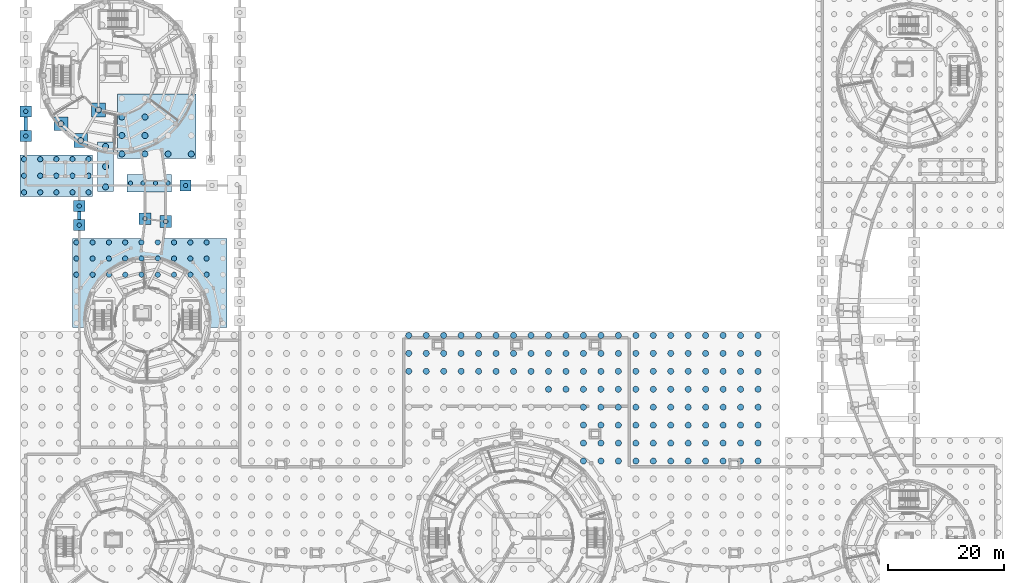
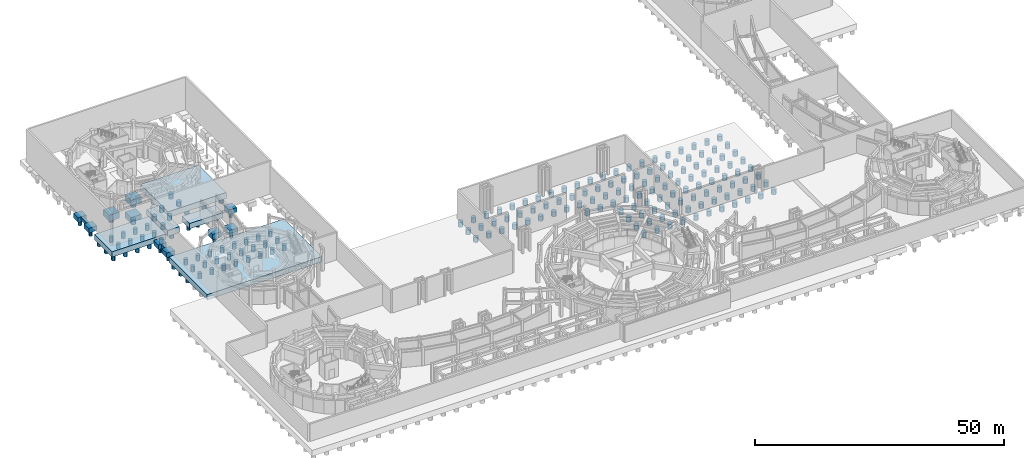
# One storey, part 4 of 57: 187 piles, 17 footings.
"""IFC4 building model written with IfcOpenShell, lengths in metres."""

from ifc_helpers import new_model, si_unit, direction, frame, origin, origin_2d, place, context, subcontext, project, spatial, rectangle, circle, extrude, material, material_profile, profile_set, type_object, element, save


model = new_model("IFC4")

# Units and contexts
model_context = context("Model", 3, precision=1e-05, world=origin(), true_north=direction((0.0, 1.0)))
body_context = subcontext(model_context, "Body", "Model", "MODEL_VIEW")
ifc_project = project(units=[si_unit("LENGTHUNIT", "METRE"), si_unit("AREAUNIT", "SQUARE_METRE"), si_unit("VOLUMEUNIT", "CUBIC_METRE"), si_unit("PLANEANGLEUNIT", "RADIAN"), si_unit("MASSUNIT", "GRAM", prefix="KILO")], contexts=[model_context])

# Site, building, storey
site_placement = place(None, origin())
site = spatial("IfcSite", under=ifc_project, at=site_placement, CompositionType="ELEMENT")
building_placement = place(site_placement, origin())
building = spatial("IfcBuilding", under=site, at=building_placement, Name="Aldenvaro Health Centre", CompositionType="ELEMENT")
storey_placement = place(building_placement, frame((0.0, 0.0, -4.550048828125)))
storey = spatial("IfcBuildingStorey", under=building, at=storey_placement, Name="B1", CompositionType="ELEMENT", Elevation=-4.550048828125)

# Footings
ifc_material = material(Name="Concrete f'c 40 MPa", Category="concrete")
ifc_material_profile_1 = material_profile(ifc_material, rectangle(XDim=0.60009765625, YDim=0.800048828125, at=origin_2d()), Name="GB 600x800", Category="concrete")
ifc_profile_set_1 = profile_set([ifc_material_profile_1], Name="Concrete f'c 40 MPa")
footing_type_1 = type_object("IfcFootingType", Name="FTG-GB-600x800", PredefinedType="FOOTING_BEAM", material=ifc_profile_set_1)
footing_1_placement = place(storey_placement, frame((2.60009765625, 90.050048828125, -0.449951171875), z_axis=(0.0, 1.0, 0.0), x_axis=(-1.0, 0.0, 0.0)))
element("IfcFooting", 1, at=footing_1_placement, inside=storey, type_object=footing_type_1, Name="Foundation Tie Beam GB-01", PredefinedType="FOOTING_BEAM", context=body_context, shape_type="SweptSolid", body=[
    extrude(rectangle(XDim=0.60009765625, YDim=0.800048828125, at=origin_2d()), origin(), (0.0, 0.0, 1.0), 2.349853515625),
])
footing_2_placement = place(storey_placement, frame((11.800048828125, 74.73193359375, -0.449951171875), z_axis=(0.0, 1.0, 0.0), x_axis=(-1.0, 0.0, 0.0)))
element("IfcFooting", 2, at=footing_2_placement, inside=storey, type_object=footing_type_1, Name="Foundation Tie Beam GB-07", PredefinedType="FOOTING_BEAM", context=body_context, shape_type="SweptSolid", body=[
    extrude(rectangle(XDim=0.60009765625, YDim=0.800048828125, at=origin_2d()), origin(), (0.0, 0.0, 1.0), 1.39697265625),
])
footing_type_2 = type_object("IfcFootingType", Name="FTG-PC-1250x710x130", PredefinedType="PILE_CAP", material=ifc_material)
footing_3_placement = place(storey_placement, frame((7.862060546875, 82.27392578125, -1.2998046875), z_axis=(0.0, 0.0, 1.0), x_axis=(1.0, 0.0, 0.0)))
element("IfcFooting", 3, at=footing_3_placement, inside=storey, type_object=footing_type_2, Name="Pile Cap PC-18 #039", PredefinedType="PILE_CAP", context=body_context, shape_type="SweptSolid", body=[
    extrude(rectangle(XDim=12.5, YDim=7.10009765625, at=origin_2d()), origin(), (0.0, 0.0, 1.0), 1.300048828125),
])
footing_type_3 = type_object("IfcFootingType", Name="FTG-PC-1350x1110x145", PredefinedType="PILE_CAP", material=ifc_material)
footing_4_placement = place(storey_placement, frame((25.093017578125, 90.781005859375, -1.44970703125), z_axis=(0.0, 0.0, 1.0), x_axis=(1.0, 0.0, 0.0)))
element("IfcFooting", 4, at=footing_4_placement, inside=storey, type_object=footing_type_3, Name="Pile Cap PC-11 #020", PredefinedType="PILE_CAP", context=body_context, shape_type="SweptSolid", body=[
    extrude(rectangle(XDim=13.5, YDim=11.10009765625, at=origin_2d()), origin(), (0.0, 0.0, 1.0), 1.449951171875),
])
footing_type_4 = type_object("IfcFootingType", Name="FTG-PC-190x190x115", PredefinedType="PILE_CAP", material=ifc_material)
for number, where, z_axis, x_axis, name in (
    (5, (2.60009765625, 89.10009765625, -1.14990234375), (0.0, 0.0, 1.0), (1.0, 0.0, 0.0), "Pile Cap PC-20 #047"),
    (6, (2.60009765625, 93.35009765625, -1.14990234375), (0.0, 0.0, 1.0), (1.0, 0.0, 0.0), "Pile Cap PC-20 #048"),
    (7, (30.087890625, 80.60009765625, -1.14990234375), (0.0, 0.0, 1.0), (1.0, 0.0, 0.0), "Pile Cap PC-20 #063"),
    (8, (11.800048828125, 73.781982421875, -1.14990234375), (0.0, 0.0, 1.0), (1.0, 0.0, 0.0), "Pile Cap PC-20 #065"),
    (9, (11.800048828125, 77.0791015625, -1.14990234375), (0.0, 0.0, 1.0), (1.0, 0.0, 0.0), "Pile Cap PC-20 #066"),
):
    element("IfcFooting", number, at=place(storey_placement, frame(where, z_axis=z_axis, x_axis=x_axis)), inside=storey, type_object=footing_type_4, Name=name, PredefinedType="PILE_CAP", context=body_context, shape_type="SweptSolid", body=[
        extrude(rectangle(XDim=1.89990234375, YDim=1.89990234375, at=origin_2d()), origin(), (0.0, 0.0, 1.0), 1.14990234375),
    ])
footing_type_5 = type_object("IfcFootingType", Name="FTG-PC-200x200x130", PredefinedType="PILE_CAP", material=ifc_material)
for number, where, z_axis, x_axis, name in (
    (10, (23.10791015625, 74.873046875, -1.2998046875), (0.0, 0.0, 1.0), (1.0, 0.0, 0.0), "Pile Cap PC-12 #024"),
    (11, (26.677978515625, 74.4130859375, -1.2998046875), (0.0, 0.0, 1.0), (1.0, 0.0, 0.0), "Pile Cap PC-12 #025"),
):
    element("IfcFooting", number, at=place(storey_placement, frame(where, z_axis=z_axis, x_axis=x_axis)), inside=storey, type_object=footing_type_5, Name=name, PredefinedType="PILE_CAP", context=body_context, shape_type="SweptSolid", body=[
        extrude(rectangle(XDim=2.0, YDim=2.0, at=origin_2d()), origin(), (0.0, 0.0, 1.0), 1.300048828125),
    ])
footing_type_6 = type_object("IfcFootingType", Name="FTG-PC-240x240x145", PredefinedType="PILE_CAP", material=ifc_material)
for number, where, z_axis, x_axis, name in (
    (12, (8.633056640625, 91.220947265625, -1.44970703125), (0.0, 0.0, 1.0), (1.0, 0.0, 0.0), "Pile Cap PC-09 #017"),
    (13, (12.06005859375, 88.345947265625, -1.44970703125), (0.0, 0.0, 1.0), (1.0, 0.0, 0.0), "Pile Cap PC-09 #018"),
    (14, (15.10009765625, 93.611083984375, -1.44970703125), (0.0, 0.0, 1.0), (1.0, 0.0, 0.0), "Pile Cap PC-09 #023"),
):
    element("IfcFooting", number, at=place(storey_placement, frame(where, z_axis=z_axis, x_axis=x_axis)), inside=storey, type_object=footing_type_6, Name=name, PredefinedType="PILE_CAP", context=body_context, shape_type="SweptSolid", body=[
        extrude(rectangle(XDim=2.39990234375, YDim=2.39990234375, at=origin_2d()), origin(), (0.0, 0.0, 1.0), 1.449951171875),
    ])
footing_type_7 = type_object("IfcFootingType", Name="FTG-PC-2660x1530x130", PredefinedType="PILE_CAP", material=ifc_material)
footing_5_placement = place(storey_placement, frame((23.904052734375, 63.867919921875, -1.2998046875), z_axis=(0.0, 0.0, 1.0), x_axis=(1.0, 0.0, 0.0)))
element("IfcFooting", 15, at=footing_5_placement, inside=storey, type_object=footing_type_7, Name="Pile Cap PC-03 #003", PredefinedType="PILE_CAP", context=body_context, shape_type="SweptSolid", body=[
    extrude(rectangle(XDim=26.60009765625, YDim=15.300048828125, at=origin_2d()), origin(), (0.0, 0.0, 1.0), 1.300048828125),
])
footing_type_8 = type_object("IfcFootingType", Name="FTG-PC-270x850x145", PredefinedType="PILE_CAP", material=ifc_material)
footing_6_placement = place(storey_placement, frame((16.33203125, 83.841064453125, -1.44970703125), z_axis=(0.0, 0.0, 1.0), x_axis=(1.0, 0.0, 0.0)))
element("IfcFooting", 16, at=footing_6_placement, inside=storey, type_object=footing_type_8, Name="Pile Cap PC-10 #019", PredefinedType="PILE_CAP", context=body_context, shape_type="SweptSolid", body=[
    extrude(rectangle(XDim=2.699951171875, YDim=8.5, at=origin_2d()), origin(), (0.0, 0.0, 1.0), 1.449951171875),
])
footing_type_9 = type_object("IfcFootingType", Name="FTG-PC-770x300x130", PredefinedType="PILE_CAP", material=ifc_material)
footing_7_placement = place(storey_placement, frame((23.85107421875, 81.00390625, -1.2998046875), z_axis=(0.0, 0.0, 1.0), x_axis=(1.0, 0.0, 0.0)))
element("IfcFooting", 17, at=footing_7_placement, inside=storey, type_object=footing_type_9, Name="Pile Cap PC-13 #026", PredefinedType="PILE_CAP", context=body_context, shape_type="SweptSolid", body=[
    extrude(rectangle(XDim=7.699951171875, YDim=3.0, at=origin_2d()), origin(), (0.0, 0.0, 1.0), 1.300048828125),
])

# Piles
ifc_material_profile_2 = material_profile(ifc_material, circle(Radius=0.52490234375, at=origin_2d()), Name="PILE D1050", Category="concrete")
ifc_profile_set_2 = profile_set([ifc_material_profile_2], Name="Concrete f'c 40 MPa")
pile_type_1 = type_object("IfcPileType", Name="PILE-D1050", PredefinedType="BORED", material=ifc_profile_set_2)
for number, where, z_axis, x_axis, name in (
    (18, (68.469970703125, 48.64111328125, -1.349853515625), (0.0, 0.0, -1.0), (1.0, 0.0, 0.0), "Bored Pile BP-03 #0435"),
    (19, (68.469970703125, 51.72705078125, -1.349853515625), (0.0, 0.0, -1.0), (1.0, 0.0, 0.0), "Bored Pile BP-03 #0436"),
    (20, (68.469970703125, 54.81298828125, -1.349853515625), (0.0, 0.0, -1.0), (1.0, 0.0, 0.0), "Bored Pile BP-03 #0437"),
    (21, (71.472900390625, 48.64111328125, -1.349853515625), (0.0, 0.0, -1.0), (1.0, 0.0, 0.0), "Bored Pile BP-03 #0454"),
    (22, (71.472900390625, 51.72705078125, -1.349853515625), (0.0, 0.0, -1.0), (1.0, 0.0, 0.0), "Bored Pile BP-03 #0455"),
    (23, (71.472900390625, 54.81298828125, -1.349853515625), (0.0, 0.0, -1.0), (1.0, 0.0, 0.0), "Bored Pile BP-03 #0456"),
    (24, (74.47705078125, 48.64111328125, -1.349853515625), (0.0, 0.0, -1.0), (1.0, 0.0, 0.0), "Bored Pile BP-03 #0473"),
    (25, (74.47705078125, 51.72705078125, -1.349853515625), (0.0, 0.0, -1.0), (1.0, 0.0, 0.0), "Bored Pile BP-03 #0474"),
    (26, (74.47705078125, 54.81298828125, -1.349853515625), (0.0, 0.0, -1.0), (1.0, 0.0, 0.0), "Bored Pile BP-03 #0475"),
    (27, (77.47998046875, 48.64111328125, -1.349853515625), (0.0, 0.0, -1.0), (1.0, 0.0, 0.0), "Bored Pile BP-03 #0492"),
    (28, (77.47998046875, 51.72705078125, -1.349853515625), (0.0, 0.0, -1.0), (1.0, 0.0, 0.0), "Bored Pile BP-03 #0493"),
    (29, (77.47998046875, 54.81298828125, -1.349853515625), (0.0, 0.0, -1.0), (1.0, 0.0, 0.0), "Bored Pile BP-03 #0494"),
    (30, (80.48388671875, 48.64111328125, -1.349853515625), (0.0, 0.0, -1.0), (1.0, 0.0, 0.0), "Bored Pile BP-03 #0511"),
    (31, (80.48388671875, 51.72705078125, -1.349853515625), (0.0, 0.0, -1.0), (1.0, 0.0, 0.0), "Bored Pile BP-03 #0512"),
    (32, (80.48388671875, 54.81298828125, -1.349853515625), (0.0, 0.0, -1.0), (1.0, 0.0, 0.0), "Bored Pile BP-03 #0513"),
    (33, (83.487060546875, 48.64111328125, -1.349853515625), (0.0, 0.0, -1.0), (1.0, 0.0, 0.0), "Bored Pile BP-03 #0530"),
    (34, (83.487060546875, 51.72705078125, -1.349853515625), (0.0, 0.0, -1.0), (1.0, 0.0, 0.0), "Bored Pile BP-03 #0531"),
    (35, (83.487060546875, 54.81298828125, -1.349853515625), (0.0, 0.0, -1.0), (1.0, 0.0, 0.0), "Bored Pile BP-03 #0532"),
    (36, (86.490966796875, 48.64111328125, -1.349853515625), (0.0, 0.0, -1.0), (1.0, 0.0, 0.0), "Bored Pile BP-03 #0549"),
    (37, (86.490966796875, 51.72705078125, -1.349853515625), (0.0, 0.0, -1.0), (1.0, 0.0, 0.0), "Bored Pile BP-03 #0550"),
    (38, (86.490966796875, 54.81298828125, -1.349853515625), (0.0, 0.0, -1.0), (1.0, 0.0, 0.0), "Bored Pile BP-03 #0551"),
    (39, (89.493896484375, 48.64111328125, -1.349853515625), (0.0, 0.0, -1.0), (1.0, 0.0, 0.0), "Bored Pile BP-03 #0568"),
    (40, (89.493896484375, 51.72705078125, -1.349853515625), (0.0, 0.0, -1.0), (1.0, 0.0, 0.0), "Bored Pile BP-03 #0569"),
    (41, (89.493896484375, 54.81298828125, -1.349853515625), (0.0, 0.0, -1.0), (1.0, 0.0, 0.0), "Bored Pile BP-03 #0570"),
    (42, (92.498046875, 45.554931640625, -1.349853515625), (0.0, 0.0, -1.0), (1.0, 0.0, 0.0), "Bored Pile BP-03 #0586"),
    (43, (92.498046875, 48.64111328125, -1.349853515625), (0.0, 0.0, -1.0), (1.0, 0.0, 0.0), "Bored Pile BP-03 #0587"),
    (44, (92.498046875, 51.72705078125, -1.349853515625), (0.0, 0.0, -1.0), (1.0, 0.0, 0.0), "Bored Pile BP-03 #0588"),
    (45, (92.498046875, 54.81298828125, -1.349853515625), (0.0, 0.0, -1.0), (1.0, 0.0, 0.0), "Bored Pile BP-03 #0589"),
    (46, (95.5009765625, 45.554931640625, -1.349853515625), (0.0, 0.0, -1.0), (1.0, 0.0, 0.0), "Bored Pile BP-03 #0605"),
    (47, (95.5009765625, 48.64111328125, -1.349853515625), (0.0, 0.0, -1.0), (1.0, 0.0, 0.0), "Bored Pile BP-03 #0606"),
    (48, (95.5009765625, 51.72705078125, -1.349853515625), (0.0, 0.0, -1.0), (1.0, 0.0, 0.0), "Bored Pile BP-03 #0607"),
    (49, (95.5009765625, 54.81298828125, -1.349853515625), (0.0, 0.0, -1.0), (1.0, 0.0, 0.0), "Bored Pile BP-03 #0608"),
    (50, (98.5048828125, 33.2099609375, -1.349853515625), (0.0, 0.0, -1.0), (1.0, 0.0, 0.0), "Bored Pile BP-03 #0620"),
    (51, (98.5048828125, 36.2958984375, -1.349853515625), (0.0, 0.0, -1.0), (1.0, 0.0, 0.0), "Bored Pile BP-03 #0621"),
    (52, (98.5048828125, 39.382080078125, -1.349853515625), (0.0, 0.0, -1.0), (1.0, 0.0, 0.0), "Bored Pile BP-03 #0622"),
    (53, (98.5048828125, 42.468994140625, -1.349853515625), (0.0, 0.0, -1.0), (1.0, 0.0, 0.0), "Bored Pile BP-03 #0623"),
    (54, (98.5048828125, 45.554931640625, -1.349853515625), (0.0, 0.0, -1.0), (1.0, 0.0, 0.0), "Bored Pile BP-03 #0624"),
    (55, (98.5048828125, 48.64111328125, -1.349853515625), (0.0, 0.0, -1.0), (1.0, 0.0, 0.0), "Bored Pile BP-03 #0625"),
    (56, (98.5048828125, 51.72705078125, -1.349853515625), (0.0, 0.0, -1.0), (1.0, 0.0, 0.0), "Bored Pile BP-03 #0626"),
    (57, (98.5048828125, 54.81298828125, -1.349853515625), (0.0, 0.0, -1.0), (1.0, 0.0, 0.0), "Bored Pile BP-03 #0627"),
    (58, (101.508056640625, 33.2099609375, -1.349853515625), (0.0, 0.0, -1.0), (1.0, 0.0, 0.0), "Bored Pile BP-03 #0639"),
    (59, (101.508056640625, 36.2958984375, -1.349853515625), (0.0, 0.0, -1.0), (1.0, 0.0, 0.0), "Bored Pile BP-03 #0640"),
    (60, (101.508056640625, 39.382080078125, -1.349853515625), (0.0, 0.0, -1.0), (1.0, 0.0, 0.0), "Bored Pile BP-03 #0641"),
    (61, (101.508056640625, 42.468994140625, -1.349853515625), (0.0, 0.0, -1.0), (1.0, 0.0, 0.0), "Bored Pile BP-03 #0642"),
    (62, (101.508056640625, 45.554931640625, -1.349853515625), (0.0, 0.0, -1.0), (1.0, 0.0, 0.0), "Bored Pile BP-03 #0643"),
    (63, (101.508056640625, 48.64111328125, -1.349853515625), (0.0, 0.0, -1.0), (1.0, 0.0, 0.0), "Bored Pile BP-03 #0644"),
    (64, (101.508056640625, 51.72705078125, -1.349853515625), (0.0, 0.0, -1.0), (1.0, 0.0, 0.0), "Bored Pile BP-03 #0645"),
    (65, (101.508056640625, 54.81298828125, -1.349853515625), (0.0, 0.0, -1.0), (1.0, 0.0, 0.0), "Bored Pile BP-03 #0646"),
    (66, (104.511962890625, 33.2099609375, -1.349853515625), (0.0, 0.0, -1.0), (1.0, 0.0, 0.0), "Bored Pile BP-03 #0658"),
    (67, (104.511962890625, 36.2958984375, -1.349853515625), (0.0, 0.0, -1.0), (1.0, 0.0, 0.0), "Bored Pile BP-03 #0659"),
    (68, (104.511962890625, 39.382080078125, -1.349853515625), (0.0, 0.0, -1.0), (1.0, 0.0, 0.0), "Bored Pile BP-03 #0660"),
    (69, (104.511962890625, 42.468994140625, -1.349853515625), (0.0, 0.0, -1.0), (1.0, 0.0, 0.0), "Bored Pile BP-03 #0661"),
    (70, (104.511962890625, 45.554931640625, -1.349853515625), (0.0, 0.0, -1.0), (1.0, 0.0, 0.0), "Bored Pile BP-03 #0662"),
    (71, (104.511962890625, 48.64111328125, -1.349853515625), (0.0, 0.0, -1.0), (1.0, 0.0, 0.0), "Bored Pile BP-03 #0663"),
    (72, (104.511962890625, 51.72705078125, -1.349853515625), (0.0, 0.0, -1.0), (1.0, 0.0, 0.0), "Bored Pile BP-03 #0664"),
    (73, (104.511962890625, 54.81298828125, -1.349853515625), (0.0, 0.0, -1.0), (1.0, 0.0, 0.0), "Bored Pile BP-03 #0665"),
    (74, (107.514892578125, 33.2099609375, -1.349853515625), (0.0, 0.0, -1.0), (1.0, 0.0, 0.0), "Bored Pile BP-03 #0677"),
    (75, (107.514892578125, 36.2958984375, -1.349853515625), (0.0, 0.0, -1.0), (1.0, 0.0, 0.0), "Bored Pile BP-03 #0678"),
    (76, (107.514892578125, 39.382080078125, -1.349853515625), (0.0, 0.0, -1.0), (1.0, 0.0, 0.0), "Bored Pile BP-03 #0679"),
    (77, (107.514892578125, 42.468994140625, -1.349853515625), (0.0, 0.0, -1.0), (1.0, 0.0, 0.0), "Bored Pile BP-03 #0680"),
    (78, (107.514892578125, 45.554931640625, -1.349853515625), (0.0, 0.0, -1.0), (1.0, 0.0, 0.0), "Bored Pile BP-03 #0681"),
    (79, (107.514892578125, 48.64111328125, -1.349853515625), (0.0, 0.0, -1.0), (1.0, 0.0, 0.0), "Bored Pile BP-03 #0682"),
    (80, (107.514892578125, 51.72705078125, -1.349853515625), (0.0, 0.0, -1.0), (1.0, 0.0, 0.0), "Bored Pile BP-03 #0683"),
    (81, (107.514892578125, 54.81298828125, -1.349853515625), (0.0, 0.0, -1.0), (1.0, 0.0, 0.0), "Bored Pile BP-03 #0684"),
    (82, (110.51904296875, 33.2099609375, -1.349853515625), (0.0, 0.0, -1.0), (1.0, 0.0, 0.0), "Bored Pile BP-03 #0696"),
    (83, (110.51904296875, 36.2958984375, -1.349853515625), (0.0, 0.0, -1.0), (1.0, 0.0, 0.0), "Bored Pile BP-03 #0697"),
    (84, (110.51904296875, 39.382080078125, -1.349853515625), (0.0, 0.0, -1.0), (1.0, 0.0, 0.0), "Bored Pile BP-03 #0698"),
    (85, (110.51904296875, 42.468994140625, -1.349853515625), (0.0, 0.0, -1.0), (1.0, 0.0, 0.0), "Bored Pile BP-03 #0699"),
    (86, (110.51904296875, 45.554931640625, -1.349853515625), (0.0, 0.0, -1.0), (1.0, 0.0, 0.0), "Bored Pile BP-03 #0700"),
    (87, (110.51904296875, 48.64111328125, -1.349853515625), (0.0, 0.0, -1.0), (1.0, 0.0, 0.0), "Bored Pile BP-03 #0701"),
    (88, (110.51904296875, 51.72705078125, -1.349853515625), (0.0, 0.0, -1.0), (1.0, 0.0, 0.0), "Bored Pile BP-03 #0702"),
    (89, (110.51904296875, 54.81298828125, -1.349853515625), (0.0, 0.0, -1.0), (1.0, 0.0, 0.0), "Bored Pile BP-03 #0703"),
    (90, (113.52197265625, 33.2099609375, -1.349853515625), (0.0, 0.0, -1.0), (1.0, 0.0, 0.0), "Bored Pile BP-03 #0715"),
    (91, (113.52197265625, 36.2958984375, -1.349853515625), (0.0, 0.0, -1.0), (1.0, 0.0, 0.0), "Bored Pile BP-03 #0716"),
    (92, (113.52197265625, 39.382080078125, -1.349853515625), (0.0, 0.0, -1.0), (1.0, 0.0, 0.0), "Bored Pile BP-03 #0717"),
    (93, (113.52197265625, 42.468994140625, -1.349853515625), (0.0, 0.0, -1.0), (1.0, 0.0, 0.0), "Bored Pile BP-03 #0718"),
    (94, (113.52197265625, 45.554931640625, -1.349853515625), (0.0, 0.0, -1.0), (1.0, 0.0, 0.0), "Bored Pile BP-03 #0719"),
    (95, (113.52197265625, 48.64111328125, -1.349853515625), (0.0, 0.0, -1.0), (1.0, 0.0, 0.0), "Bored Pile BP-03 #0720"),
    (96, (113.52197265625, 51.72705078125, -1.349853515625), (0.0, 0.0, -1.0), (1.0, 0.0, 0.0), "Bored Pile BP-03 #0721"),
    (97, (113.52197265625, 54.81298828125, -1.349853515625), (0.0, 0.0, -1.0), (1.0, 0.0, 0.0), "Bored Pile BP-03 #0722"),
    (98, (116.52587890625, 33.2099609375, -1.349853515625), (0.0, 0.0, -1.0), (1.0, 0.0, 0.0), "Bored Pile BP-03 #0734"),
    (99, (116.52587890625, 36.2958984375, -1.349853515625), (0.0, 0.0, -1.0), (1.0, 0.0, 0.0), "Bored Pile BP-03 #0735"),
    (100, (116.52587890625, 39.382080078125, -1.349853515625), (0.0, 0.0, -1.0), (1.0, 0.0, 0.0), "Bored Pile BP-03 #0736"),
    (101, (116.52587890625, 42.468994140625, -1.349853515625), (0.0, 0.0, -1.0), (1.0, 0.0, 0.0), "Bored Pile BP-03 #0737"),
    (102, (116.52587890625, 45.554931640625, -1.349853515625), (0.0, 0.0, -1.0), (1.0, 0.0, 0.0), "Bored Pile BP-03 #0738"),
    (103, (116.52587890625, 48.64111328125, -1.349853515625), (0.0, 0.0, -1.0), (1.0, 0.0, 0.0), "Bored Pile BP-03 #0739"),
    (104, (116.52587890625, 51.72705078125, -1.349853515625), (0.0, 0.0, -1.0), (1.0, 0.0, 0.0), "Bored Pile BP-03 #0740"),
    (105, (116.52587890625, 54.81298828125, -1.349853515625), (0.0, 0.0, -1.0), (1.0, 0.0, 0.0), "Bored Pile BP-03 #0741"),
    (106, (119.529052734375, 33.2099609375, -1.349853515625), (0.0, 0.0, -1.0), (1.0, 0.0, 0.0), "Bored Pile BP-03 #0753"),
    (107, (119.529052734375, 36.2958984375, -1.349853515625), (0.0, 0.0, -1.0), (1.0, 0.0, 0.0), "Bored Pile BP-03 #0754"),
    (108, (119.529052734375, 39.382080078125, -1.349853515625), (0.0, 0.0, -1.0), (1.0, 0.0, 0.0), "Bored Pile BP-03 #0755"),
    (109, (119.529052734375, 42.468994140625, -1.349853515625), (0.0, 0.0, -1.0), (1.0, 0.0, 0.0), "Bored Pile BP-03 #0756"),
    (110, (119.529052734375, 45.554931640625, -1.349853515625), (0.0, 0.0, -1.0), (1.0, 0.0, 0.0), "Bored Pile BP-03 #0757"),
    (111, (119.529052734375, 48.64111328125, -1.349853515625), (0.0, 0.0, -1.0), (1.0, 0.0, 0.0), "Bored Pile BP-03 #0758"),
    (112, (119.529052734375, 51.72705078125, -1.349853515625), (0.0, 0.0, -1.0), (1.0, 0.0, 0.0), "Bored Pile BP-03 #0759"),
    (113, (119.529052734375, 54.81298828125, -1.349853515625), (0.0, 0.0, -1.0), (1.0, 0.0, 0.0), "Bored Pile BP-03 #0760"),
    (114, (122.532958984375, 33.2099609375, -1.349853515625), (0.0, 0.0, -1.0), (1.0, 0.0, 0.0), "Bored Pile BP-03 #0772"),
    (115, (122.532958984375, 36.2958984375, -1.349853515625), (0.0, 0.0, -1.0), (1.0, 0.0, 0.0), "Bored Pile BP-03 #0773"),
    (116, (122.532958984375, 39.382080078125, -1.349853515625), (0.0, 0.0, -1.0), (1.0, 0.0, 0.0), "Bored Pile BP-03 #0774"),
    (117, (122.532958984375, 42.468994140625, -1.349853515625), (0.0, 0.0, -1.0), (1.0, 0.0, 0.0), "Bored Pile BP-03 #0775"),
    (118, (122.532958984375, 45.554931640625, -1.349853515625), (0.0, 0.0, -1.0), (1.0, 0.0, 0.0), "Bored Pile BP-03 #0776"),
    (119, (122.532958984375, 48.64111328125, -1.349853515625), (0.0, 0.0, -1.0), (1.0, 0.0, 0.0), "Bored Pile BP-03 #0777"),
    (120, (122.532958984375, 51.72705078125, -1.349853515625), (0.0, 0.0, -1.0), (1.0, 0.0, 0.0), "Bored Pile BP-03 #0778"),
    (121, (122.532958984375, 54.81298828125, -1.349853515625), (0.0, 0.0, -1.0), (1.0, 0.0, 0.0), "Bored Pile BP-03 #0779"),
    (122, (125.535888671875, 33.2099609375, -1.349853515625), (0.0, 0.0, -1.0), (1.0, 0.0, 0.0), "Bored Pile BP-03 #0791"),
    (123, (125.535888671875, 36.2958984375, -1.349853515625), (0.0, 0.0, -1.0), (1.0, 0.0, 0.0), "Bored Pile BP-03 #0792"),
    (124, (125.535888671875, 39.382080078125, -1.349853515625), (0.0, 0.0, -1.0), (1.0, 0.0, 0.0), "Bored Pile BP-03 #0793"),
    (125, (125.535888671875, 42.468994140625, -1.349853515625), (0.0, 0.0, -1.0), (1.0, 0.0, 0.0), "Bored Pile BP-03 #0794"),
    (126, (125.535888671875, 45.554931640625, -1.349853515625), (0.0, 0.0, -1.0), (1.0, 0.0, 0.0), "Bored Pile BP-03 #0795"),
    (127, (125.535888671875, 48.64111328125, -1.349853515625), (0.0, 0.0, -1.0), (1.0, 0.0, 0.0), "Bored Pile BP-03 #0796"),
    (128, (125.535888671875, 51.72705078125, -1.349853515625), (0.0, 0.0, -1.0), (1.0, 0.0, 0.0), "Bored Pile BP-03 #0797"),
    (129, (125.535888671875, 54.81298828125, -1.349853515625), (0.0, 0.0, -1.0), (1.0, 0.0, 0.0), "Bored Pile BP-03 #0798"),
    (130, (128.5400390625, 33.2099609375, -1.349853515625), (0.0, 0.0, -1.0), (1.0, 0.0, 0.0), "Bored Pile BP-03 #0810"),
    (131, (128.5400390625, 36.2958984375, -1.349853515625), (0.0, 0.0, -1.0), (1.0, 0.0, 0.0), "Bored Pile BP-03 #0811"),
    (132, (128.5400390625, 39.382080078125, -1.349853515625), (0.0, 0.0, -1.0), (1.0, 0.0, 0.0), "Bored Pile BP-03 #0812"),
    (133, (128.5400390625, 42.468994140625, -1.349853515625), (0.0, 0.0, -1.0), (1.0, 0.0, 0.0), "Bored Pile BP-03 #0813"),
    (134, (128.5400390625, 45.554931640625, -1.349853515625), (0.0, 0.0, -1.0), (1.0, 0.0, 0.0), "Bored Pile BP-03 #0814"),
    (135, (128.5400390625, 48.64111328125, -1.349853515625), (0.0, 0.0, -1.0), (1.0, 0.0, 0.0), "Bored Pile BP-03 #0815"),
    (136, (128.5400390625, 51.72705078125, -1.349853515625), (0.0, 0.0, -1.0), (1.0, 0.0, 0.0), "Bored Pile BP-03 #0816"),
    (137, (128.5400390625, 54.81298828125, -1.349853515625), (0.0, 0.0, -1.0), (1.0, 0.0, 0.0), "Bored Pile BP-03 #0817"),
    (138, (8.633056640625, 91.220947265625, -1.349853515625), (0.0, 0.0, -1.0), (1.0, 0.0, 0.0), "Bored Pile BP-03 #1322"),
    (139, (12.06005859375, 88.345947265625, -1.349853515625), (0.0, 0.0, -1.0), (1.0, 0.0, 0.0), "Bored Pile BP-03 #1323"),
    (140, (16.33203125, 80.365966796875, -1.349853515625), (0.0, 0.0, -1.0), (1.0, 0.0, 0.0), "Bored Pile BP-03 #1324"),
    (141, (16.33203125, 83.841064453125, -1.349853515625), (0.0, 0.0, -1.0), (1.0, 0.0, 0.0), "Bored Pile BP-03 #1325"),
    (142, (16.33203125, 87.31591796875, -1.349853515625), (0.0, 0.0, -1.0), (1.0, 0.0, 0.0), "Bored Pile BP-03 #1326"),
    (143, (19.117919921875, 86.006103515625, -1.349853515625), (0.0, 0.0, -1.0), (1.0, 0.0, 0.0), "Bored Pile BP-03 #1327"),
    (144, (19.117919921875, 89.18896484375, -1.349853515625), (0.0, 0.0, -1.0), (1.0, 0.0, 0.0), "Bored Pile BP-03 #1328"),
    (145, (19.117919921875, 92.373046875, -1.349853515625), (0.0, 0.0, -1.0), (1.0, 0.0, 0.0), "Bored Pile BP-03 #1329"),
    (146, (23.10107421875, 86.006103515625, -1.349853515625), (0.0, 0.0, -1.0), (1.0, 0.0, 0.0), "Bored Pile BP-03 #1331"),
    (147, (23.10107421875, 89.18896484375, -1.349853515625), (0.0, 0.0, -1.0), (1.0, 0.0, 0.0), "Bored Pile BP-03 #1332"),
    (148, (23.10107421875, 92.373046875, -1.349853515625), (0.0, 0.0, -1.0), (1.0, 0.0, 0.0), "Bored Pile BP-03 #1333"),
    (149, (27.0849609375, 86.006103515625, -1.349853515625), (0.0, 0.0, -1.0), (1.0, 0.0, 0.0), "Bored Pile BP-03 #1335"),
    (150, (31.068115234375, 86.006103515625, -1.349853515625), (0.0, 0.0, -1.0), (1.0, 0.0, 0.0), "Bored Pile BP-03 #1339"),
    (151, (15.10009765625, 93.611083984375, -1.349853515625), (0.0, 0.0, -1.0), (1.0, 0.0, 0.0), "Bored Pile BP-03 #1345"),
):
    element("IfcPile", number, at=place(storey_placement, frame(where, z_axis=z_axis, x_axis=x_axis)), inside=storey, type_object=pile_type_1, Name=name, PredefinedType="BORED", context=body_context, shape_type="SweptSolid", body=[
        extrude(circle(Radius=0.52490234375, at=origin_2d()), origin(), (0.0, 0.0, 1.0), 1.25),
    ])
ifc_material_profile_3 = material_profile(ifc_material, circle(Radius=0.375, at=origin_2d()), Name="PILE D750", Category="concrete")
ifc_profile_set_3 = profile_set([ifc_material_profile_3], Name="Concrete f'c 40 MPa")
pile_type_2 = type_object("IfcPileType", Name="PILE-D750", PredefinedType="BORED", material=ifc_profile_set_3)
for number, where, z_axis, x_axis, name in (
    (152, (23.10791015625, 74.873046875, -1.199951171875), (0.0, 0.0, -1.0), (1.0, 0.0, 0.0), "Bored Pile BP-01 #1346"),
    (153, (26.677978515625, 74.4130859375, -1.199951171875), (0.0, 0.0, -1.0), (1.0, 0.0, 0.0), "Bored Pile BP-01 #1347"),
    (154, (20.6259765625, 81.00390625, -1.199951171875), (0.0, 0.0, -1.0), (1.0, 0.0, 0.0), "Bored Pile BP-01 #1348"),
    (155, (22.77587890625, 81.00390625, -1.199951171875), (0.0, 0.0, -1.0), (1.0, 0.0, 0.0), "Bored Pile BP-01 #1349"),
    (156, (24.926025390625, 81.00390625, -1.199951171875), (0.0, 0.0, -1.0), (1.0, 0.0, 0.0), "Bored Pile BP-01 #1350"),
    (157, (27.075927734375, 81.00390625, -1.199951171875), (0.0, 0.0, -1.0), (1.0, 0.0, 0.0), "Bored Pile BP-01 #1351"),
):
    element("IfcPile", number, at=place(storey_placement, frame(where, z_axis=z_axis, x_axis=x_axis)), inside=storey, type_object=pile_type_2, Name=name, PredefinedType="BORED", context=body_context, shape_type="SweptSolid", body=[
        extrude(circle(Radius=0.375, at=origin_2d()), origin(), (0.0, 0.0, 1.0), 1.39990234375),
    ])
for number, where, z_axis, x_axis, name in (
    (158, (2.60009765625, 89.10009765625, -1.050048828125), (0.0, 0.0, -1.0), (1.0, 0.0, 0.0), "Bored Pile BP-01 #1391"),
    (159, (2.60009765625, 93.35009765625, -1.050048828125), (0.0, 0.0, -1.0), (1.0, 0.0, 0.0), "Bored Pile BP-01 #1392"),
    (160, (30.087890625, 80.60009765625, -1.050048828125), (0.0, 0.0, -1.0), (1.0, 0.0, 0.0), "Bored Pile BP-01 #1407"),
    (161, (11.800048828125, 73.781982421875, -1.050048828125), (0.0, 0.0, -1.0), (1.0, 0.0, 0.0), "Bored Pile BP-01 #1409"),
    (162, (11.800048828125, 77.0791015625, -1.050048828125), (0.0, 0.0, -1.0), (1.0, 0.0, 0.0), "Bored Pile BP-01 #1410"),
):
    element("IfcPile", number, at=place(storey_placement, frame(where, z_axis=z_axis, x_axis=x_axis)), inside=storey, type_object=pile_type_2, Name=name, PredefinedType="BORED", context=body_context, shape_type="SweptSolid", body=[
        extrude(circle(Radius=0.375, at=origin_2d()), origin(), (0.0, 0.0, 1.0), 1.550048828125),
    ])
ifc_material_profile_4 = material_profile(ifc_material, circle(Radius=0.449951171875, at=origin_2d()), Name="PILE D900", Category="concrete")
ifc_profile_set_4 = profile_set([ifc_material_profile_4], Name="Concrete f'c 40 MPa")
pile_type_3 = type_object("IfcPileType", Name="PILE-D900", PredefinedType="BORED", material=ifc_profile_set_4)
for number, where, z_axis, x_axis, name in (
    (163, (11.303955078125, 65.258056640625, -1.199951171875), (0.0, 0.0, -1.0), (1.0, 0.0, 0.0), "Bored Pile BP-02 #1061"),
    (164, (11.303955078125, 68.0380859375, -1.199951171875), (0.0, 0.0, -1.0), (1.0, 0.0, 0.0), "Bored Pile BP-02 #1062"),
    (165, (11.303955078125, 70.818115234375, -1.199951171875), (0.0, 0.0, -1.0), (1.0, 0.0, 0.0), "Bored Pile BP-02 #1063"),
    (166, (14.10400390625, 65.258056640625, -1.199951171875), (0.0, 0.0, -1.0), (1.0, 0.0, 0.0), "Bored Pile BP-02 #1067"),
    (167, (14.10400390625, 68.0380859375, -1.199951171875), (0.0, 0.0, -1.0), (1.0, 0.0, 0.0), "Bored Pile BP-02 #1068"),
    (168, (14.10400390625, 70.818115234375, -1.199951171875), (0.0, 0.0, -1.0), (1.0, 0.0, 0.0), "Bored Pile BP-02 #1069"),
    (169, (16.904052734375, 65.258056640625, -1.199951171875), (0.0, 0.0, -1.0), (1.0, 0.0, 0.0), "Bored Pile BP-02 #1073"),
    (170, (16.904052734375, 68.0380859375, -1.199951171875), (0.0, 0.0, -1.0), (1.0, 0.0, 0.0), "Bored Pile BP-02 #1074"),
    (171, (16.904052734375, 70.818115234375, -1.199951171875), (0.0, 0.0, -1.0), (1.0, 0.0, 0.0), "Bored Pile BP-02 #1075"),
    (172, (19.7041015625, 65.258056640625, -1.199951171875), (0.0, 0.0, -1.0), (1.0, 0.0, 0.0), "Bored Pile BP-02 #1079"),
    (173, (19.7041015625, 68.0380859375, -1.199951171875), (0.0, 0.0, -1.0), (1.0, 0.0, 0.0), "Bored Pile BP-02 #1080"),
    (174, (19.7041015625, 70.818115234375, -1.199951171875), (0.0, 0.0, -1.0), (1.0, 0.0, 0.0), "Bored Pile BP-02 #1081"),
    (175, (22.50390625, 65.258056640625, -1.199951171875), (0.0, 0.0, -1.0), (1.0, 0.0, 0.0), "Bored Pile BP-02 #1085"),
    (176, (22.50390625, 68.0380859375, -1.199951171875), (0.0, 0.0, -1.0), (1.0, 0.0, 0.0), "Bored Pile BP-02 #1086"),
    (177, (22.50390625, 70.818115234375, -1.199951171875), (0.0, 0.0, -1.0), (1.0, 0.0, 0.0), "Bored Pile BP-02 #1087"),
    (178, (25.303955078125, 65.258056640625, -1.199951171875), (0.0, 0.0, -1.0), (1.0, 0.0, 0.0), "Bored Pile BP-02 #1091"),
    (179, (25.303955078125, 68.0380859375, -1.199951171875), (0.0, 0.0, -1.0), (1.0, 0.0, 0.0), "Bored Pile BP-02 #1092"),
    (180, (25.303955078125, 70.818115234375, -1.199951171875), (0.0, 0.0, -1.0), (1.0, 0.0, 0.0), "Bored Pile BP-02 #1093"),
    (181, (28.10400390625, 65.258056640625, -1.199951171875), (0.0, 0.0, -1.0), (1.0, 0.0, 0.0), "Bored Pile BP-02 #1097"),
    (182, (28.10400390625, 68.0380859375, -1.199951171875), (0.0, 0.0, -1.0), (1.0, 0.0, 0.0), "Bored Pile BP-02 #1098"),
    (183, (28.10400390625, 70.818115234375, -1.199951171875), (0.0, 0.0, -1.0), (1.0, 0.0, 0.0), "Bored Pile BP-02 #1099"),
    (184, (30.904052734375, 65.258056640625, -1.199951171875), (0.0, 0.0, -1.0), (1.0, 0.0, 0.0), "Bored Pile BP-02 #1103"),
    (185, (30.904052734375, 68.0380859375, -1.199951171875), (0.0, 0.0, -1.0), (1.0, 0.0, 0.0), "Bored Pile BP-02 #1104"),
    (186, (30.904052734375, 70.818115234375, -1.199951171875), (0.0, 0.0, -1.0), (1.0, 0.0, 0.0), "Bored Pile BP-02 #1105"),
    (187, (33.7041015625, 65.258056640625, -1.199951171875), (0.0, 0.0, -1.0), (1.0, 0.0, 0.0), "Bored Pile BP-02 #1109"),
    (188, (33.7041015625, 68.0380859375, -1.199951171875), (0.0, 0.0, -1.0), (1.0, 0.0, 0.0), "Bored Pile BP-02 #1110"),
    (189, (33.7041015625, 70.818115234375, -1.199951171875), (0.0, 0.0, -1.0), (1.0, 0.0, 0.0), "Bored Pile BP-02 #1111"),
    (190, (2.31201171875, 79.424072265625, -1.199951171875), (0.0, 0.0, -1.0), (1.0, 0.0, 0.0), "Bored Pile BP-02 #1368"),
    (191, (2.31201171875, 82.27392578125, -1.199951171875), (0.0, 0.0, -1.0), (1.0, 0.0, 0.0), "Bored Pile BP-02 #1369"),
    (192, (2.31201171875, 85.1240234375, -1.199951171875), (0.0, 0.0, -1.0), (1.0, 0.0, 0.0), "Bored Pile BP-02 #1370"),
    (193, (5.0869140625, 79.424072265625, -1.199951171875), (0.0, 0.0, -1.0), (1.0, 0.0, 0.0), "Bored Pile BP-02 #1371"),
    (194, (5.0869140625, 82.27392578125, -1.199951171875), (0.0, 0.0, -1.0), (1.0, 0.0, 0.0), "Bored Pile BP-02 #1372"),
    (195, (5.0869140625, 85.1240234375, -1.199951171875), (0.0, 0.0, -1.0), (1.0, 0.0, 0.0), "Bored Pile BP-02 #1373"),
    (196, (7.862060546875, 79.424072265625, -1.199951171875), (0.0, 0.0, -1.0), (1.0, 0.0, 0.0), "Bored Pile BP-02 #1374"),
    (197, (7.862060546875, 82.27392578125, -1.199951171875), (0.0, 0.0, -1.0), (1.0, 0.0, 0.0), "Bored Pile BP-02 #1375"),
    (198, (7.862060546875, 85.1240234375, -1.199951171875), (0.0, 0.0, -1.0), (1.0, 0.0, 0.0), "Bored Pile BP-02 #1376"),
    (199, (10.636962890625, 79.424072265625, -1.199951171875), (0.0, 0.0, -1.0), (1.0, 0.0, 0.0), "Bored Pile BP-02 #1377"),
    (200, (10.636962890625, 82.27392578125, -1.199951171875), (0.0, 0.0, -1.0), (1.0, 0.0, 0.0), "Bored Pile BP-02 #1378"),
    (201, (10.636962890625, 85.1240234375, -1.199951171875), (0.0, 0.0, -1.0), (1.0, 0.0, 0.0), "Bored Pile BP-02 #1379"),
    (202, (13.412109375, 79.424072265625, -1.199951171875), (0.0, 0.0, -1.0), (1.0, 0.0, 0.0), "Bored Pile BP-02 #1380"),
    (203, (13.412109375, 82.27392578125, -1.199951171875), (0.0, 0.0, -1.0), (1.0, 0.0, 0.0), "Bored Pile BP-02 #1381"),
    (204, (13.412109375, 85.1240234375, -1.199951171875), (0.0, 0.0, -1.0), (1.0, 0.0, 0.0), "Bored Pile BP-02 #1382"),
):
    element("IfcPile", number, at=place(storey_placement, frame(where, z_axis=z_axis, x_axis=x_axis)), inside=storey, type_object=pile_type_3, Name=name, PredefinedType="BORED", context=body_context, shape_type="SweptSolid", body=[
        extrude(circle(Radius=0.449951171875, at=origin_2d()), origin(), (0.0, 0.0, 1.0), 1.39990234375),
    ])

save(model, "model.ifc")
